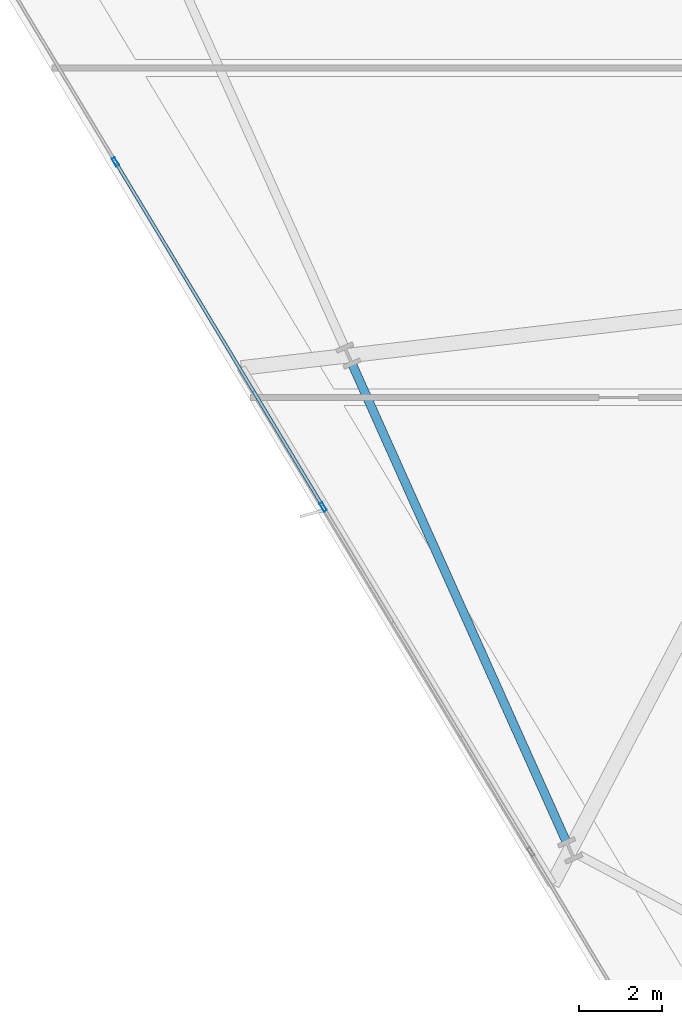
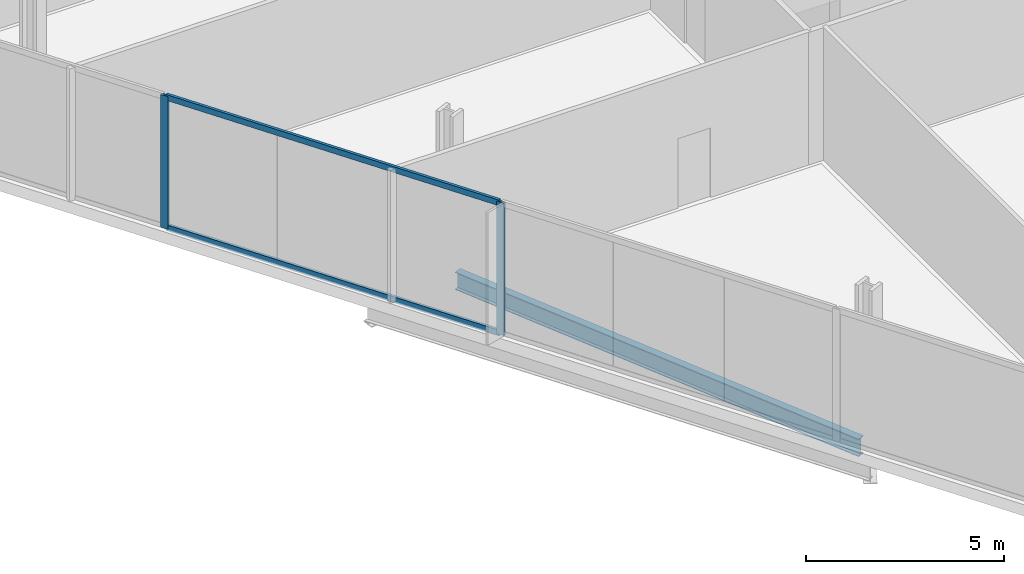
# One storey, part 4 of 30: 4 members, 1 beam, 1 element without a shape of its own.
"""IFC4 building model written with IfcOpenShell, lengths in metres."""

from ifc_helpers import new_model, si_unit, direction, frame, origin, origin_2d, place, context, subcontext, project, spatial, hollow_rectangle, i_section, extrude, material, material_profile, profile_set, type_object, element, aggregate, save


model = new_model("IFC4")

# Units and contexts
model_context = context("Model", 3, precision=1e-05, world=origin(), true_north=direction((0.0, 1.0)))
body_context = subcontext(model_context, "Body", "Model", "MODEL_VIEW")
ifc_project = project(units=[si_unit("LENGTHUNIT", "METRE"), si_unit("AREAUNIT", "SQUARE_METRE"), si_unit("VOLUMEUNIT", "CUBIC_METRE"), si_unit("PLANEANGLEUNIT", "RADIAN"), si_unit("MASSUNIT", "GRAM", prefix="KILO")], contexts=[model_context])

# Site, building, storey
site_placement = place(None, origin())
site = spatial("IfcSite", under=ifc_project, at=site_placement, CompositionType="ELEMENT")
building_placement = place(site_placement, origin())
building = spatial("IfcBuilding", under=site, at=building_placement, Name="Haldenkirk Collegiate Tower", CompositionType="ELEMENT")
storey_placement = place(building_placement, frame((0.0, 0.0, 131.699951171875)))
storey = spatial("IfcBuildingStorey", under=building, at=storey_placement, Name="L32", CompositionType="ELEMENT", Elevation=131.699951171875)

# Beam
ifc_material_1 = material(Name="Steel ASTM A992 Grade 50", Category="steel")
ifc_material_profile_1 = material_profile(ifc_material_1, i_section(OverallWidth=0.2119140625, OverallDepth=0.5439453125, WebThickness=0.01318359375, FlangeThickness=0.021240234375, at=origin_2d()), Name="W21X83")
ifc_profile_set_1 = profile_set([ifc_material_profile_1], Name="Steel ASTM A992 Grade 50")
beam_type = type_object("IfcBeamType", Name="BM-SPANDREL-W21X83", PredefinedType="SPANDREL", material=ifc_profile_set_1)
beam_placement = place(storey_placement, frame((14.742919921875, 16.3369140625, -0.6220703125), z_axis=(0.409131045523, -0.91247563671, 0.0), x_axis=(0.91247563671, 0.409131045523, 0.0)))
element("IfcBeam", 1, at=beam_placement, inside=storey, type_object=beam_type, Name="L32 perimeter spandrel beam 15", PredefinedType="SPANDREL", context=body_context, shape_type="SweptSolid", body=[
    extrude(i_section(OverallWidth=0.2119140625, OverallDepth=0.5439453125, WebThickness=0.01318359375, FlangeThickness=0.021240234375, at=origin_2d()), origin(), (0.0, 0.0, 1.0), 12.593994140625),
])

# Curtain wall, members
ifc_material_2 = material(Name="Anodised architectural bronze aluminium", Category="aluminium")
curtain_wall_type = type_object("IfcCurtainWallType", Name="CW-SYS1-CONVEX-LOW", PredefinedType="USERDEFINED", material=ifc_material_2)
curtain_wall_placement = place(storey_placement, origin())
curtain_wall = element("IfcCurtainWall", 2, at=curtain_wall_placement, inside=storey, type_object=curtain_wall_type, Name="L32 Lower tower convex bronze-framed unitised curtain wall", ObjectType="UNITISED CURTAIN WALL", PredefinedType="USERDEFINED")
ifc_material_profile_2 = material_profile(ifc_material_2, hollow_rectangle(XDim=0.080078125, YDim=0.219970703125, WallThickness=0.0048828125, at=origin_2d()), Name="CW-MUL-1A")
ifc_profile_set_2 = profile_set([ifc_material_profile_2], Name="Anodised architectural bronze aluminium")
member_type_1 = type_object("IfcMemberType", Name="CW-MUL-1A", PredefinedType="MULLION", material=ifc_profile_set_2)
member_1_placement = place(storey_placement, frame((14.03564453125, 12.90771484375, 0.0), z_axis=(0.0, 0.0, 1.0), x_axis=(-0.85671798361, -0.515785126345, 0.0)))
member_1 = element("IfcMember", 3, at=member_1_placement, type_object=member_type_1, Name="CW-1A mullion 3", PredefinedType="MULLION", context=body_context, shape_type="SweptSolid", body=[
    extrude(hollow_rectangle(XDim=0.080078125, YDim=0.219970703125, WallThickness=0.0048828125, at=origin_2d()), origin(), (0.0, 0.0, 1.0), 4.10009765625),
])
member_2_placement = place(storey_placement, frame((9.02294921875, 21.23388671875, 0.0), z_axis=(0.0, 0.0, 1.0), x_axis=(-0.85671798361, -0.515785126345, 0.0)))
member_2 = element("IfcMember", 4, at=member_2_placement, type_object=member_type_1, Name="CW-1A mullion 4", PredefinedType="MULLION", context=body_context, shape_type="SweptSolid", body=[
    extrude(hollow_rectangle(XDim=0.080078125, YDim=0.219970703125, WallThickness=0.0048828125, at=origin_2d()), origin(), (0.0, 0.0, 1.0), 4.10009765625),
])
ifc_material_profile_3 = material_profile(ifc_material_2, hollow_rectangle(XDim=0.080078125, YDim=0.179931640625, WallThickness=0.0048828125, at=origin_2d()), Name="CW-TRN-1A")
ifc_profile_set_3 = profile_set([ifc_material_profile_3], Name="Anodised architectural bronze aluminium")
member_type_2 = type_object("IfcMemberType", Name="CW-TRN-1A", PredefinedType="USERDEFINED", material=ifc_profile_set_3)
member_3_placement = place(storey_placement, frame((14.01513671875, 12.94189453125, 0.0400390625), z_axis=(-0.515791395408, 0.856714209304, 0.0), x_axis=(-0.856714209304, -0.515791395408, 0.0)))
member_3 = element("IfcMember", 5, at=member_3_placement, type_object=member_type_2, Name="CW-1A transom 3.1", ObjectType="TRANSOM", PredefinedType="USERDEFINED", context=body_context, shape_type="SweptSolid", body=[
    extrude(hollow_rectangle(XDim=0.080078125, YDim=0.179931640625, WallThickness=0.0048828125, at=origin_2d()), origin(), (0.0, 0.0, 1.0), 9.638916015625),
])
member_4_placement = place(storey_placement, frame((14.01513671875, 12.94189453125, 4.06005859375), z_axis=(-0.515791395408, 0.856714209304, 0.0), x_axis=(-0.856714209304, -0.515791395408, 0.0)))
member_4 = element("IfcMember", 6, at=member_4_placement, type_object=member_type_2, Name="CW-1A transom 3.2", ObjectType="TRANSOM", PredefinedType="USERDEFINED", context=body_context, shape_type="SweptSolid", body=[
    extrude(hollow_rectangle(XDim=0.080078125, YDim=0.179931640625, WallThickness=0.0048828125, at=origin_2d()), origin(), (0.0, 0.0, 1.0), 9.638916015625),
])
aggregate(curtain_wall, [member_1, member_2, member_3, member_4])

save(model, "model.ifc")
